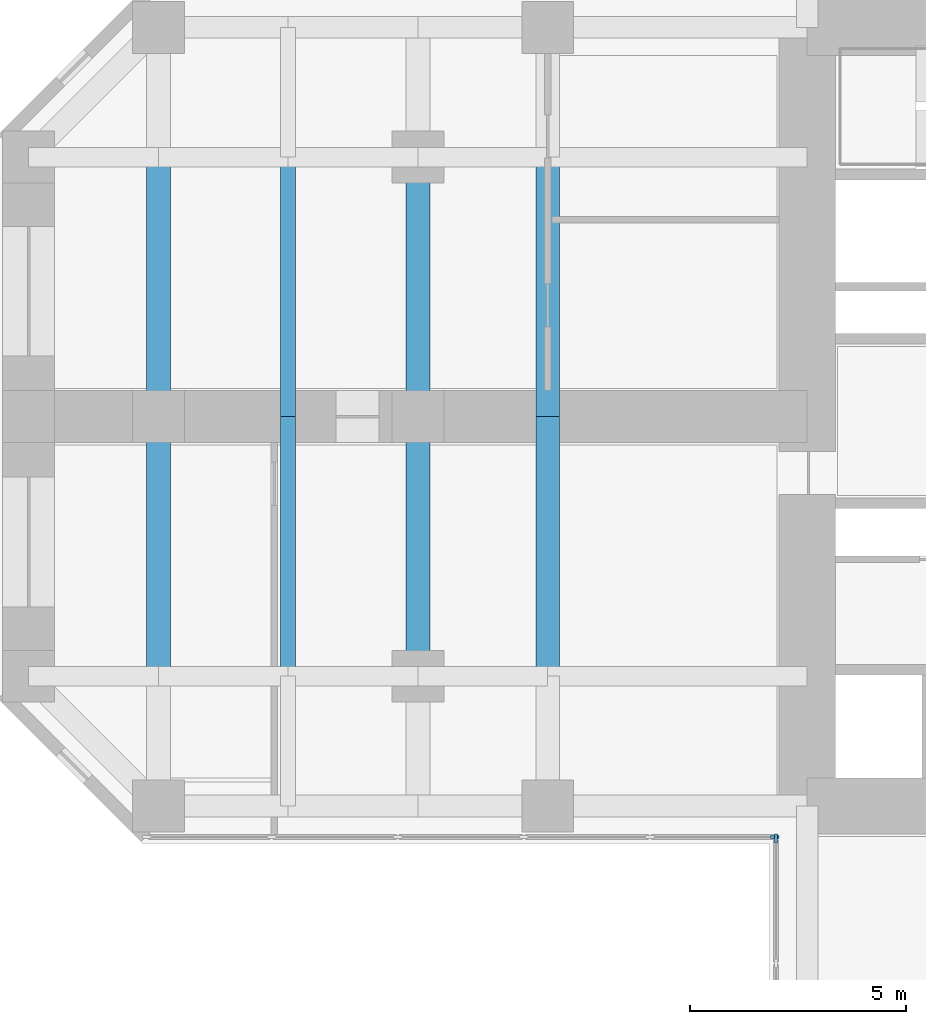
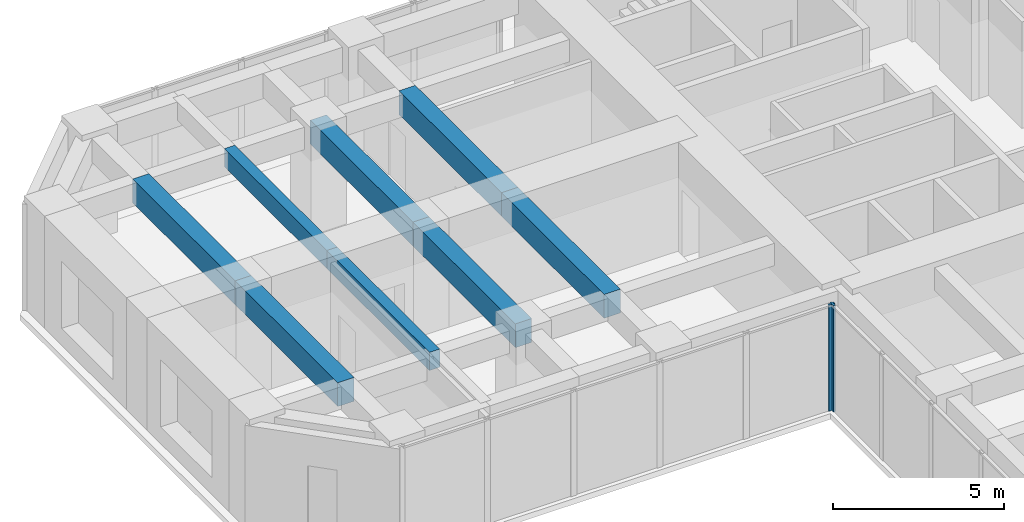
# One storey, part 3 of 12: 8 beams, 2 members, 2 elements without a shape of their own.
"""IFC4 building model written with IfcOpenShell, lengths in metres."""

from ifc_helpers import new_model, si_unit, direction, frame, origin, origin_2d, place, context, subcontext, project, spatial, rectangle, extrude, material, material_profile, profile_set, type_object, element, aggregate, save


model = new_model("IFC4")

# Units and contexts
model_context = context("Model", 3, precision=1e-05, world=origin(), true_north=direction((0.0, 1.0)))
body_context = subcontext(model_context, "Body", "Model", "MODEL_VIEW")
ifc_project = project(units=[si_unit("LENGTHUNIT", "METRE"), si_unit("AREAUNIT", "SQUARE_METRE"), si_unit("VOLUMEUNIT", "CUBIC_METRE"), si_unit("PLANEANGLEUNIT", "RADIAN"), si_unit("MASSUNIT", "GRAM", prefix="KILO")], contexts=[model_context])

# Site, building, storey
site_placement = place(None, origin())
site = spatial("IfcSite", under=ifc_project, at=site_placement, CompositionType="ELEMENT")
building_placement = place(site_placement, origin())
building = spatial("IfcBuilding", under=site, at=building_placement, Name="Torre Cruceta", CompositionType="ELEMENT")
storey_placement = place(building_placement, frame((0.0, 0.0, 59.5)))
storey = spatial("IfcBuildingStorey", under=building, at=storey_placement, Name="L14", CompositionType="ELEMENT", Elevation=59.5)

# Beams
ifc_material_1 = material(Name="Concrete G60 (fck 60 MPa)", Category="concrete")
ifc_material_profile_1 = material_profile(ifc_material_1, rectangle(XDim=0.550048828125, YDim=0.85009765625, at=origin_2d()), Name="RC 550X850")
ifc_profile_set_1 = profile_set([ifc_material_profile_1], Name="Concrete G60 (fck 60 MPa)")
beam_type_1 = type_object("IfcBeamType", Name="CROSS BEAM RC 550X850", PredefinedType="BEAM", material=ifc_profile_set_1)
for number, where, z_axis, x_axis, name in (
    (1, (-15.0, 6.0, 3.375), (0.0, -1.0, 0.0), (1.0, 0.0, 0.0), "GB4 L14 W cross15 2"),
    (2, (-15.0, 0.0, 3.375), (0.0, -1.0, 0.0), (1.0, 0.0, 0.0), "GB4 L14 W cross15 3"),
    (3, (-18.0, 6.0, 3.375), (0.0, -1.0, 0.0), (1.0, 0.0, 0.0), "GB4 L14 W cross18 2"),
    (4, (-18.0, 0.0, 3.375), (0.0, -1.0, 0.0), (1.0, 0.0, 0.0), "GB4 L14 W cross18 3"),
    (5, (-24.0, 6.0, 3.375), (0.0, -1.0, 0.0), (1.0, 0.0, 0.0), "GB4 L14 W cross24 2"),
    (6, (-24.0, 0.0, 3.375), (0.0, -1.0, 0.0), (1.0, 0.0, 0.0), "GB4 L14 W cross24 3"),
):
    element("IfcBeam", number, at=place(storey_placement, frame(where, z_axis=z_axis, x_axis=x_axis)), inside=storey, type_object=beam_type_1, Name=name, PredefinedType="BEAM", context=body_context, shape_type="SweptSolid", body=[
        extrude(rectangle(XDim=0.550048828125, YDim=0.85009765625, at=origin_2d()), origin(), (0.0, 0.0, 1.0), 6.0),
    ])

# Curtain wall, member
ifc_material_2 = material(Name="Aluminium unitised curtain wall", Category="aluminium")
curtain_wall_type = type_object("IfcCurtainWallType", Name="CURTAIN WALL CW-A OFFICE LOW RISE", PredefinedType="USERDEFINED", material=ifc_material_2)
curtain_wall_1_placement = place(storey_placement, origin())
curtain_wall_1 = element("IfcCurtainWall", 7, at=curtain_wall_1_placement, inside=storey, type_object=curtain_wall_type, Name="CW-A L14 W side 14", ObjectType="UNITISED", PredefinedType="USERDEFINED")
ifc_material_3 = material(Name="Aluminium mullion", Category="aluminium")
ifc_material_profile_2 = material_profile(ifc_material_3, rectangle(XDim=0.06494140625, YDim=0.199951171875, at=origin_2d()), Name="AL 65X200")
ifc_profile_set_2 = profile_set([ifc_material_profile_2], Name="Aluminium mullion")
member_type = type_object("IfcMemberType", Name="CW-A MULLION 65X200", PredefinedType="MULLION", material=ifc_profile_set_2)
member_1_placement = place(storey_placement, frame((-9.75244140625, -9.719970703125, 0.0), z_axis=(0.0, 0.0, 1.0), x_axis=(0.0, 1.0, 0.0)))
member_1 = element("IfcMember", 8, at=member_1_placement, type_object=member_type, Name="CW-A mullion 6", PredefinedType="MULLION", context=body_context, shape_type="SweptSolid", body=[
    extrude(rectangle(XDim=0.06494140625, YDim=0.199951171875, at=origin_2d()), origin(), (0.0, 0.0, 1.0), 3.800048828125),
])
aggregate(curtain_wall_1, [member_1])

curtain_wall_2_placement = place(storey_placement, origin())
curtain_wall_2 = element("IfcCurtainWall", 9, at=curtain_wall_2_placement, inside=storey, type_object=curtain_wall_type, Name="CW-A L14 S side 15", ObjectType="UNITISED", PredefinedType="USERDEFINED")
member_2_placement = place(storey_placement, frame((-9.719970703125, -9.75244140625, 0.0), z_axis=(0.0, 0.0, 1.0), x_axis=(1.0, 0.0, 0.0)))
member_2 = element("IfcMember", 10, at=member_2_placement, type_object=member_type, Name="CW-A mullion 1", PredefinedType="MULLION", context=body_context, shape_type="SweptSolid", body=[
    extrude(rectangle(XDim=0.06494140625, YDim=0.199951171875, at=origin_2d()), origin(), (0.0, 0.0, 1.0), 3.800048828125),
])
aggregate(curtain_wall_2, [member_2])

# Beams
ifc_material_4 = material(Name="Concrete G60 (fck 60 MPa)", Category="concrete")
ifc_material_profile_3 = material_profile(ifc_material_4, rectangle(XDim=0.35009765625, YDim=0.64990234375, at=origin_2d()), Name="RC 350X650")
ifc_profile_set_3 = profile_set([ifc_material_profile_3], Name="Concrete G60 (fck 60 MPa)")
beam_type_2 = type_object("IfcBeamType", Name="SECONDARY BEAM RC 350X650", PredefinedType="JOIST", material=ifc_profile_set_3)
for number, where, z_axis, x_axis, name in (
    (11, (-21.0, 6.0, 3.47509765625), (0.0, -1.0, 0.0), (1.0, 0.0, 0.0), "JB3 L14 W sec21 2"),
    (12, (-21.0, 0.0, 3.47509765625), (0.0, -1.0, 0.0), (1.0, 0.0, 0.0), "JB3 L14 W sec21 3"),
):
    element("IfcBeam", number, at=place(storey_placement, frame(where, z_axis=z_axis, x_axis=x_axis)), inside=storey, type_object=beam_type_2, Name=name, PredefinedType="JOIST", context=body_context, shape_type="SweptSolid", body=[
        extrude(rectangle(XDim=0.35009765625, YDim=0.64990234375, at=origin_2d()), origin(), (0.0, 0.0, 1.0), 6.0),
    ])

save(model, "model.ifc")
